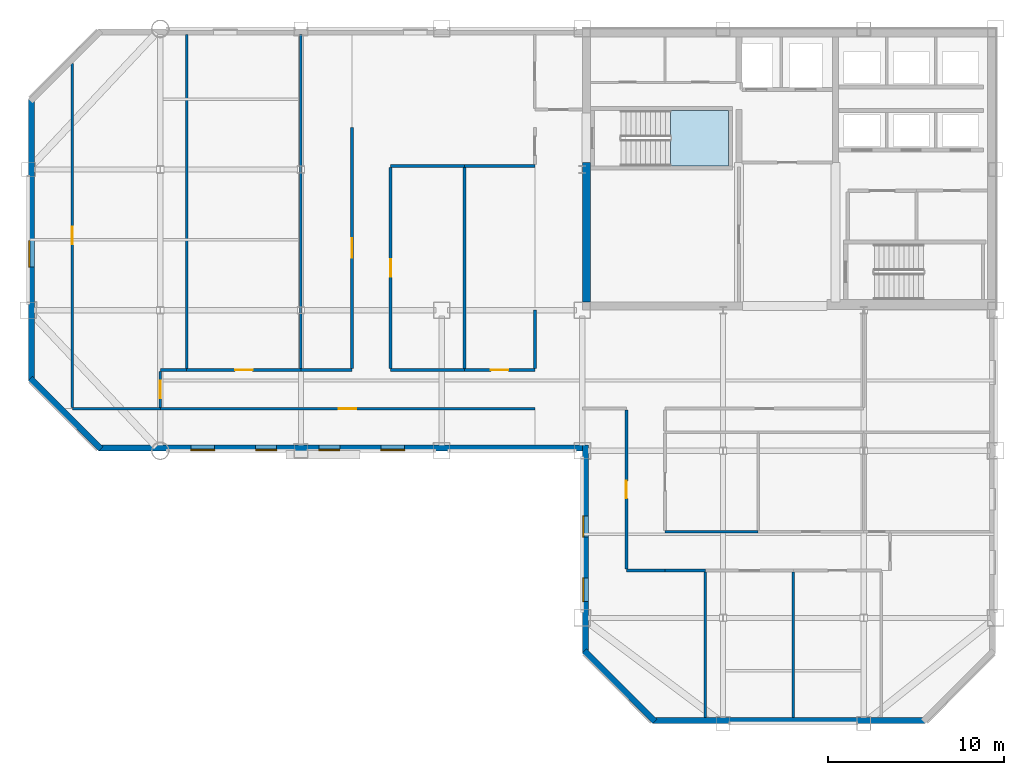
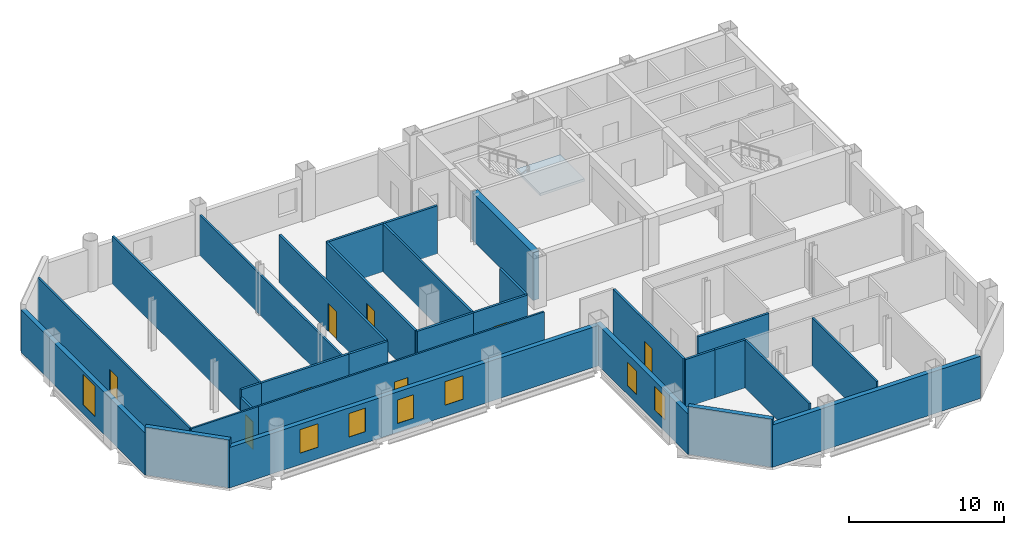
# One storey, part 4 of 11: 30 walls, 8 doors, 7 windows, 1 slab, 15 openings, 1 element without a shape of its own.
"""IFC4 building model written with IfcOpenShell, lengths in metres."""

from ifc_helpers import new_model, si_unit, direction, frame, frame_2d, origin, place, context, subcontext, project, spatial, polyline, rectangle, outline, extrude, material, layer, layer_set, type_object, element, fill, aggregate, save


model = new_model("IFC4")

# Units and contexts
model_context = context("Model", 3, precision=1e-05, world=origin(), true_north=direction((0.0, 1.0)))
body_context = subcontext(model_context, "Body", "Model", "MODEL_VIEW")
ifc_project = project(units=[si_unit("LENGTHUNIT", "METRE"), si_unit("AREAUNIT", "SQUARE_METRE"), si_unit("VOLUMEUNIT", "CUBIC_METRE"), si_unit("PLANEANGLEUNIT", "RADIAN"), si_unit("MASSUNIT", "GRAM", prefix="KILO")], contexts=[model_context])

# Site, building, storey
site_placement = place(None, origin())
site = spatial("IfcSite", under=ifc_project, at=site_placement, CompositionType="ELEMENT")
building_placement = place(site_placement, origin())
building = spatial("IfcBuilding", under=site, at=building_placement, Name="Qianrong Seaharbour Tower", CompositionType="ELEMENT")
storey_placement = place(building_placement, frame((0.0, 0.0, 265.800048828125)))
storey = spatial("IfcBuildingStorey", under=building, at=storey_placement, Name="L64", CompositionType="ELEMENT", Elevation=265.800048828125)

# Stair, slab
ifc_material_1 = material(Name="Concrete C50/60", Category="concrete")
stair_type = type_object("IfcStairType", Name="STAIR-DOGLEG-1500-R22", PredefinedType="HALF_TURN_STAIR", material=ifc_material_1)
stair_placement = place(storey_placement, origin())
stair = element("IfcStair", 1, at=stair_placement, inside=storey, type_object=stair_type, Name="L64 Protected Escape Stair ST-1", PredefinedType="HALF_TURN_STAIR")
ifc_layer_1 = layer(ifc_material_1, 0.199951171875)
ifc_layer_set_1 = layer_set([ifc_layer_1], Name="Concrete C50/60")
slab_type = type_object("IfcSlabType", Name="SLAB-STAIR-LANDING-200", PredefinedType="LANDING", material=ifc_layer_set_1)
slab_placement = place(storey_placement, frame((0.0, 0.0, 1.800048828125)))
slab = element("IfcSlab", 2, at=slab_placement, type_object=slab_type, Name="ST-1 landing 1", PredefinedType="LANDING", context=body_context, shape_type="SweptSolid", body=[
    extrude(outline(polyline([(45.5, 44.199951171875), (48.800048828125, 44.199951171875), (48.800048828125, 47.35009765625), (45.5, 47.35009765625), (45.5, 44.199951171875)])), origin(), (0.0, 0.0, 1.0), 0.199951171875),
])
aggregate(stair, [slab])

# Wall
ifc_material_2 = material(Name="Concrete C60/75", Category="concrete")
ifc_layer_2 = layer(ifc_material_2, 0.4599609375)
ifc_layer_set_2 = layer_set([ifc_layer_2], Name="Concrete C60/75")
wall_type_1 = type_object("IfcWallType", Name="WALL-CORE-460", PredefinedType="SHEAR", material=ifc_layer_set_2)
wall_1_placement = place(storey_placement, frame((40.72998046875, 36.4599609375, 0.0), z_axis=(0.0, 0.0, 1.0), x_axis=(0.0, 1.0, 0.0)))
element("IfcWall", 3, at=wall_1_placement, inside=storey, type_object=wall_type_1, Name="L64 West Core Shear Wall South", PredefinedType="SHEAR", context=body_context, shape_type="SweptSolid", body=[
    extrude(rectangle(XDim=7.93994140625, YDim=0.4599609375, at=frame_2d((3.969970703125, 0.0))), origin(), (0.0, 0.0, 1.0), 3.77490234375),
])

# Wall, opening, door
ifc_material_3 = material(Name="Fire-rated acoustic gypsum board partition")
ifc_layer_3 = layer(ifc_material_3, 0.1650390625)
ifc_layer_set_3 = layer_set([ifc_layer_3], Name="Fire-rated acoustic gypsum board partition")
wall_type_2 = type_object("IfcWallType", Name="WALL-CORR-PART-165", PredefinedType="PARTITIONING", material=ifc_layer_set_3)
wall_2_placement = place(storey_placement, frame((16.5, 30.45703125, 0.0), z_axis=(0.0, 0.0, 1.0), x_axis=(0.0, 1.0, 0.0)))
wall_2 = element("IfcWall", 4, at=wall_2_placement, inside=storey, type_object=wall_type_2, Name="L64 Interior Partition Wall 013", PredefinedType="PARTITIONING", context=body_context, shape_type="SweptSolid", body=[
    extrude(rectangle(XDim=2.068359375, YDim=0.1650390625, at=frame_2d((1.0341796875, 0.0))), origin(), (0.0, 0.0, 1.0), 3.178955078125),
])
opening_1_placement = place(wall_2_placement, frame((0.5341796875, 0.0, 0.0)))
opening_1 = element("IfcOpeningElement", 5, at=opening_1_placement, cuts=wall_2, Name="Opening DO-01", PredefinedType="OPENING", context=body_context, shape_type="SweptSolid", body=[
    extrude(rectangle(XDim=1.0, YDim=2.14990234375, at=frame_2d((0.5, 1.074951171875))), frame((0.0, 0.092529296875, 0.0), z_axis=(0.0, -1.0, 0.0), x_axis=(1.0, 0.0, 0.0)), (0.0, 0.0, 1.0), 0.18505859375),
])
ifc_material_4 = material(Name="Acoustic timber and galvanized steel fire door assembly", Category="steel")
door_type_1 = type_object("IfcDoorType", Name="DOOR-OFFICE-1000x2150", OperationType="NOTDEFINED", PredefinedType="DOOR", material=ifc_material_4)
door_1_placement = place(opening_1_placement, origin())
door_1 = element("IfcDoor", 6, at=door_1_placement, inside=storey, type_object=door_type_1, Name="L64 Navigation Systems Showroom 2 Door", OperationType="SINGLE_SWING_LEFT", OverallHeight=2.14990234375, OverallWidth=1.0, PredefinedType="DOOR", context=body_context, shape_type="SweptSolid", body=[
    extrude(rectangle(XDim=1.0, YDim=2.14990234375, at=frame_2d((0.5, 1.074951171875))), frame((0.0, 0.02490234375, 0.0), z_axis=(0.0, -1.0, 0.0), x_axis=(1.0, 0.0, 0.0)), (0.0, 0.0, 1.0), 0.050048828125),
])
fill(opening_1, door_1)

# Wall
wall_3_placement = place(storey_placement, frame((16.5, 32.60009765625, 0.0), z_axis=(0.0, 0.0, 1.0), x_axis=(1.0, 0.0, 0.0)))
element("IfcWall", 7, at=wall_3_placement, inside=storey, type_object=wall_type_2, Name="L64 Interior Partition Wall 014", PredefinedType="PARTITIONING", context=body_context, shape_type="SweptSolid", body=[
    extrude(rectangle(XDim=1.5, YDim=0.1650390625, at=frame_2d((0.75, 0.0))), origin(), (0.0, 0.0, 1.0), 3.77490234375),
])

# Wall, opening, door
wall_4_placement = place(storey_placement, frame((18.0, 32.60009765625, 0.0), z_axis=(0.0, 0.0, 1.0), x_axis=(1.0, 0.0, 0.0)))
wall_4 = element("IfcWall", 8, at=wall_4_placement, inside=storey, type_object=wall_type_2, Name="L64 Interior Partition Wall 015", PredefinedType="PARTITIONING", context=body_context, shape_type="SweptSolid", body=[
    extrude(rectangle(XDim=6.5, YDim=0.1650390625, at=frame_2d((3.25, 0.0))), origin(), (0.0, 0.0, 1.0), 3.77490234375),
])
opening_2_placement = place(wall_4_placement, frame((2.75, 0.0, 0.0)))
opening_2 = element("IfcOpeningElement", 9, at=opening_2_placement, cuts=wall_4, Name="Opening DO-01", PredefinedType="OPENING", context=body_context, shape_type="SweptSolid", body=[
    extrude(rectangle(XDim=1.0, YDim=2.14990234375, at=frame_2d((0.5, 1.074951171875))), frame((0.0, 0.092529296875, 0.0), z_axis=(0.0, -1.0, 0.0), x_axis=(1.0, 0.0, 0.0)), (0.0, 0.0, 1.0), 0.18505859375),
])
door_2_placement = place(opening_2_placement, origin())
door_2 = element("IfcDoor", 10, at=door_2_placement, inside=storey, type_object=door_type_1, Name="L64 Marine Propulsion Showroom 3 Door", OperationType="SINGLE_SWING_RIGHT", OverallHeight=2.14990234375, OverallWidth=1.0, PredefinedType="DOOR", context=body_context, shape_type="SweptSolid", body=[
    extrude(rectangle(XDim=1.0, YDim=2.14990234375, at=frame_2d((0.5, 1.074951171875))), frame((0.0, 0.02490234375, 0.0), z_axis=(0.0, -1.0, 0.0), x_axis=(1.0, 0.0, 0.0)), (0.0, 0.0, 1.0), 0.050048828125),
])
fill(opening_2, door_2)

# Walls
wall_5_placement = place(storey_placement, frame((24.5, 32.60009765625, 0.0), z_axis=(0.0, 0.0, 1.0), x_axis=(1.0, 0.0, 0.0)))
element("IfcWall", 11, at=wall_5_placement, inside=storey, type_object=wall_type_2, Name="L64 Interior Partition Wall 016", PredefinedType="PARTITIONING", context=body_context, shape_type="SweptSolid", body=[
    extrude(rectangle(XDim=2.89990234375, YDim=0.1650390625, at=frame_2d((1.449951171875, 0.0))), origin(), (0.0, 0.0, 1.0), 3.77490234375),
])
wall_6_placement = place(storey_placement, frame((29.60009765625, 32.60009765625, 0.0), z_axis=(0.0, 0.0, 1.0), x_axis=(1.0, 0.0, 0.0)))
element("IfcWall", 12, at=wall_6_placement, inside=storey, type_object=wall_type_2, Name="L64 Interior Partition Wall 017", PredefinedType="PARTITIONING", context=body_context, shape_type="SweptSolid", body=[
    extrude(rectangle(XDim=4.199951171875, YDim=0.1650390625, at=frame_2d((2.10009765625, 0.0))), origin(), (0.0, 0.0, 1.0), 3.77490234375),
])

# Wall, opening, door
wall_7_placement = place(storey_placement, frame((33.800048828125, 32.60009765625, 0.0), z_axis=(0.0, 0.0, 1.0), x_axis=(1.0, 0.0, 0.0)))
wall_7 = element("IfcWall", 13, at=wall_7_placement, inside=storey, type_object=wall_type_2, Name="L64 Interior Partition Wall 018", PredefinedType="PARTITIONING", context=body_context, shape_type="SweptSolid", body=[
    extrude(rectangle(XDim=4.0, YDim=0.1650390625, at=frame_2d((2.0, 0.0))), origin(), (0.0, 0.0, 1.0), 3.77490234375),
])
opening_3_placement = place(wall_7_placement, frame((1.5, 0.0, 0.0)))
opening_3 = element("IfcOpeningElement", 14, at=opening_3_placement, cuts=wall_7, Name="Opening DO-01", PredefinedType="OPENING", context=body_context, shape_type="SweptSolid", body=[
    extrude(rectangle(XDim=1.0, YDim=2.14990234375, at=frame_2d((0.5, 1.074951171875))), frame((0.0, 0.092529296875, 0.0), z_axis=(0.0, -1.0, 0.0), x_axis=(1.0, 0.0, 0.0)), (0.0, 0.0, 1.0), 0.18505859375),
])
door_3_placement = place(opening_3_placement, origin())
door_3 = element("IfcDoor", 15, at=door_3_placement, inside=storey, type_object=door_type_1, Name="L64 Fleet Logistics Showroom 2 Door", OperationType="SINGLE_SWING_LEFT", OverallHeight=2.14990234375, OverallWidth=1.0, PredefinedType="DOOR", context=body_context, shape_type="SweptSolid", body=[
    extrude(rectangle(XDim=1.0, YDim=2.14990234375, at=frame_2d((0.5, 1.074951171875))), frame((0.0, 0.02490234375, 0.0), z_axis=(0.0, -1.0, 0.0), x_axis=(1.0, 0.0, 0.0)), (0.0, 0.0, 1.0), 0.050048828125),
])
fill(opening_3, door_3)

wall_8_placement = place(storey_placement, frame((27.39990234375, 32.674560546875, 0.0), z_axis=(0.0, 0.0, 1.0), x_axis=(0.0, 1.0, 0.0)))
wall_8 = element("IfcWall", 16, at=wall_8_placement, inside=storey, type_object=wall_type_2, Name="L64 Interior Partition Wall 020", PredefinedType="PARTITIONING", context=body_context, shape_type="SweptSolid", body=[
    extrude(rectangle(XDim=13.725341796875, YDim=0.1650390625, at=frame_2d((6.86279296875, 0.0))), origin(), (0.0, 0.0, 1.0), 3.77490234375),
])
opening_4_placement = place(wall_8_placement, frame((6.312744140625, 0.0, 0.0)))
opening_4 = element("IfcOpeningElement", 17, at=opening_4_placement, cuts=wall_8, Name="Opening DM-01", PredefinedType="OPENING", context=body_context, shape_type="SweptSolid", body=[
    extrude(rectangle(XDim=1.10009765625, YDim=2.199951171875, at=frame_2d((0.550048828125, 1.10009765625))), frame((0.0, 0.092529296875, 0.0), z_axis=(0.0, -1.0, 0.0), x_axis=(1.0, 0.0, 0.0)), (0.0, 0.0, 1.0), 0.18505859375),
])
door_type_2 = type_object("IfcDoorType", Name="DOOR-MEET-1100x2200", OperationType="NOTDEFINED", PredefinedType="DOOR", material=ifc_material_4)
door_4_placement = place(opening_4_placement, origin())
door_4 = element("IfcDoor", 18, at=door_4_placement, inside=storey, type_object=door_type_2, Name="L64 Contract Meeting Room 4 Door", OperationType="SINGLE_SWING_LEFT", OverallHeight=2.199951171875, OverallWidth=1.10009765625, PredefinedType="DOOR", context=body_context, shape_type="SweptSolid", body=[
    extrude(rectangle(XDim=1.10009765625, YDim=2.199951171875, at=frame_2d((0.550048828125, 1.10009765625))), frame((0.0, 0.02490234375, 0.0), z_axis=(0.0, -1.0, 0.0), x_axis=(1.0, 0.0, 0.0)), (0.0, 0.0, 1.0), 0.050048828125),
])
fill(opening_4, door_4)

wall_9_placement = place(storey_placement, frame((29.60009765625, 44.12548828125, 0.0), z_axis=(0.0, 0.0, 1.0), x_axis=(0.0, -1.0, 0.0)))
wall_9 = element("IfcWall", 19, at=wall_9_placement, inside=storey, type_object=wall_type_2, Name="L64 Interior Partition Wall 021", PredefinedType="PARTITIONING", context=body_context, shape_type="SweptSolid", body=[
    extrude(rectangle(XDim=11.450927734375, YDim=0.1650390625, at=frame_2d((5.7255859375, 0.0))), origin(), (0.0, 0.0, 1.0), 3.77490234375),
])
opening_5_placement = place(wall_9_placement, frame((5.2255859375, 0.0, 0.0)))
opening_5 = element("IfcOpeningElement", 20, at=opening_5_placement, cuts=wall_9, Name="Opening DO-01", PredefinedType="OPENING", context=body_context, shape_type="SweptSolid", body=[
    extrude(rectangle(XDim=1.0, YDim=2.14990234375, at=frame_2d((0.5, 1.074951171875))), frame((0.0, 0.092529296875, 0.0), z_axis=(0.0, -1.0, 0.0), x_axis=(1.0, 0.0, 0.0)), (0.0, 0.0, 1.0), 0.18505859375),
])
door_5_placement = place(opening_5_placement, origin())
door_5 = element("IfcDoor", 21, at=door_5_placement, inside=storey, type_object=door_type_1, Name="L64 Cargo Systems Showroom 1 Door", OperationType="SINGLE_SWING_RIGHT", OverallHeight=2.14990234375, OverallWidth=1.0, PredefinedType="DOOR", context=body_context, shape_type="SweptSolid", body=[
    extrude(rectangle(XDim=1.0, YDim=2.14990234375, at=frame_2d((0.5, 1.074951171875))), frame((0.0, 0.02490234375, 0.0), z_axis=(0.0, -1.0, 0.0), x_axis=(1.0, 0.0, 0.0)), (0.0, 0.0, 1.0), 0.050048828125),
])
fill(opening_5, door_5)

# Walls
wall_10_placement = place(storey_placement, frame((33.800048828125, 44.199951171875, 0.0), z_axis=(0.0, 0.0, 1.0), x_axis=(-1.0, 0.0, 0.0)))
element("IfcWall", 22, at=wall_10_placement, inside=storey, type_object=wall_type_2, Name="L64 Interior Partition Wall 022", PredefinedType="PARTITIONING", context=body_context, shape_type="SweptSolid", body=[
    extrude(rectangle(XDim=4.199951171875, YDim=0.1650390625, at=frame_2d((2.10009765625, 0.0))), origin(), (0.0, 0.0, 1.0), 3.77490234375),
])
wall_11_placement = place(storey_placement, frame((37.800048828125, 44.199951171875, 0.0), z_axis=(0.0, 0.0, 1.0), x_axis=(-1.0, 0.0, 0.0)))
element("IfcWall", 23, at=wall_11_placement, inside=storey, type_object=wall_type_2, Name="L64 Interior Partition Wall 023", PredefinedType="PARTITIONING", context=body_context, shape_type="SweptSolid", body=[
    extrude(rectangle(XDim=4.0, YDim=0.1650390625, at=frame_2d((2.0, 0.0))), origin(), (0.0, 0.0, 1.0), 3.77490234375),
])
wall_12_placement = place(storey_placement, frame((37.800048828125, 32.674560546875, 0.0), z_axis=(0.0, 0.0, 1.0), x_axis=(0.0, 1.0, 0.0)))
element("IfcWall", 24, at=wall_12_placement, inside=storey, type_object=wall_type_2, Name="L64 Interior Partition Wall 026", PredefinedType="PARTITIONING", context=body_context, shape_type="SweptSolid", body=[
    extrude(rectangle(XDim=3.325439453125, YDim=0.1650390625, at=frame_2d((1.66259765625, 0.0))), origin(), (0.0, 0.0, 1.0), 3.77490234375),
])
wall_13_placement = place(storey_placement, frame((45.199951171875, 21.199951171875, 0.0), z_axis=(0.0, 0.0, 1.0), x_axis=(-1.0, 0.0, 0.0)))
element("IfcWall", 25, at=wall_13_placement, inside=storey, type_object=wall_type_2, Name="L64 Interior Partition Wall 030", PredefinedType="PARTITIONING", context=body_context, shape_type="SweptSolid", body=[
    extrude(rectangle(XDim=2.199951171875, YDim=0.1650390625, at=frame_2d((1.10009765625, 0.0))), origin(), (0.0, 0.0, 1.0), 3.77490234375),
])

# Wall, opening, door
wall_14_placement = place(storey_placement, frame((43.0, 21.2744140625, 0.0), z_axis=(0.0, 0.0, 1.0), x_axis=(0.0, 1.0, 0.0)))
wall_14 = element("IfcWall", 26, at=wall_14_placement, inside=storey, type_object=wall_type_2, Name="L64 Interior Partition Wall 031", PredefinedType="PARTITIONING", context=body_context, shape_type="SweptSolid", body=[
    extrude(rectangle(XDim=9.051025390625, YDim=0.1650390625, at=frame_2d((4.525390625, 0.0))), origin(), (0.0, 0.0, 1.0), 3.77490234375),
])
opening_6_placement = place(wall_14_placement, frame((4.025390625, 0.0, 0.0)))
opening_6 = element("IfcOpeningElement", 27, at=opening_6_placement, cuts=wall_14, Name="Opening DO-01", PredefinedType="OPENING", context=body_context, shape_type="SweptSolid", body=[
    extrude(rectangle(XDim=1.0, YDim=2.14990234375, at=frame_2d((0.5, 1.074951171875))), frame((0.0, 0.092529296875, 0.0), z_axis=(0.0, -1.0, 0.0), x_axis=(1.0, 0.0, 0.0)), (0.0, 0.0, 1.0), 0.18505859375),
])
door_6_placement = place(opening_6_placement, origin())
door_6 = element("IfcDoor", 28, at=door_6_placement, inside=storey, type_object=door_type_1, Name="L64 Harbour Trade Lounge 1 Door", OperationType="SINGLE_SWING_LEFT", OverallHeight=2.14990234375, OverallWidth=1.0, PredefinedType="DOOR", context=body_context, shape_type="SweptSolid", body=[
    extrude(rectangle(XDim=1.0, YDim=2.14990234375, at=frame_2d((0.5, 1.074951171875))), frame((0.0, 0.02490234375, 0.0), z_axis=(0.0, -1.0, 0.0), x_axis=(1.0, 0.0, 0.0)), (0.0, 0.0, 1.0), 0.050048828125),
])
fill(opening_6, door_6)

# Walls
wall_15_placement = place(storey_placement, frame((45.199951171875, 23.39990234375, 0.0), z_axis=(0.0, 0.0, 1.0), x_axis=(1.0, 0.0, 0.0)))
element("IfcWall", 29, at=wall_15_placement, inside=storey, type_object=wall_type_2, Name="L64 Interior Partition Wall 032", PredefinedType="PARTITIONING", context=body_context, shape_type="SweptSolid", body=[
    extrude(rectangle(XDim=5.300048828125, YDim=0.1650390625, at=frame_2d((2.64990234375, 0.0))), origin(), (0.0, 0.0, 1.0), 3.467041015625),
])
wall_16_placement = place(storey_placement, frame((47.5, 21.199951171875, 0.0), z_axis=(0.0, 0.0, 1.0), x_axis=(-1.0, 0.0, 0.0)))
element("IfcWall", 30, at=wall_16_placement, inside=storey, type_object=wall_type_2, Name="L64 Interior Partition Wall 035", PredefinedType="PARTITIONING", context=body_context, shape_type="SweptSolid", body=[
    extrude(rectangle(XDim=2.300048828125, YDim=0.1650390625, at=frame_2d((1.14990234375, 0.0))), origin(), (0.0, 0.0, 1.0), 3.77490234375),
])

# Wall, openings, windows
ifc_material_5 = material(Name="Unitised buff brick on Precast concrete C45/55", Category="masonry")
ifc_layer_4 = layer(ifc_material_5, 0.340087890625)
ifc_layer_set_4 = layer_set([ifc_layer_4], Name="Unitised buff brick on Precast concrete C45/55")
wall_type_3 = type_object("IfcWallType", Name="WALL-EXT-BRICK-BUFF-340", PredefinedType="SOLIDWALL", material=ifc_layer_set_4)
wall_17_placement = place(storey_placement, frame((40.669921875, 16.5, 0.0), z_axis=(0.0, 0.0, 1.0), x_axis=(0.0, 1.0, 0.0)))
wall_17 = element("IfcWall", 31, at=wall_17_placement, inside=storey, type_object=wall_type_3, Name="L64 Exterior Masonry Facade Wall REENTRANT_WEST", PredefinedType="SOLIDWALL", context=body_context, shape_type="SweptSolid", body=[
    extrude(rectangle(XDim=11.840087890625, YDim=0.340087890625, at=frame_2d((5.919921875, 0.0))), origin(), (0.0, 0.0, 1.0), 3.18701171875),
])
opening_7_placement = place(wall_17_placement, frame((2.925048828125, 0.0, 0.89990234375)))
opening_7 = element("IfcOpeningElement", 32, at=opening_7_placement, cuts=wall_17, Name="Opening WN-02", PredefinedType="OPENING", context=body_context, shape_type="SweptSolid", body=[
    extrude(rectangle(XDim=1.35009765625, YDim=1.85009765625, at=frame_2d((0.675048828125, 0.925048828125))), frame((0.0, 0.18017578125, 0.0), z_axis=(0.0, -1.0, 0.0), x_axis=(1.0, 0.0, 0.0)), (0.0, 0.0, 1.0), 0.360107421875),
])
opening_8_placement = place(wall_17_placement, frame((6.60009765625, 0.0, 0.699951171875)))
opening_8 = element("IfcOpeningElement", 33, at=opening_8_placement, cuts=wall_17, Name="Opening WN-01", PredefinedType="OPENING", context=body_context, shape_type="SweptSolid", body=[
    extrude(rectangle(XDim=1.199951171875, YDim=1.85009765625, at=frame_2d((0.60009765625, 0.925048828125))), frame((0.0, 0.18017578125, 0.0), z_axis=(0.0, -1.0, 0.0), x_axis=(1.0, 0.0, 0.0)), (0.0, 0.0, 1.0), 0.360107421875),
])
ifc_material_6 = material(Name="Insulated low-e double glazing in thermally broken aluminium 6063-T6 frame", Category="aluminium")
window_type_1 = type_object("IfcWindowType", Name="WIN-PUNCH-1200x1850", PartitioningType="DOUBLE_PANEL_VERTICAL", PredefinedType="WINDOW", material=ifc_material_6)
window_1_placement = place(opening_8_placement, origin())
window_1 = element("IfcWindow", 34, at=window_1_placement, inside=storey, type_object=window_type_1, Name="L64 Deep-Set Punched Window 00.02", OverallHeight=1.85009765625, OverallWidth=1.199951171875, PartitioningType="DOUBLE_PANEL_VERTICAL", PredefinedType="WINDOW", context=body_context, shape_type="SweptSolid", body=[
    extrude(rectangle(XDim=1.199951171875, YDim=1.85009765625, at=frame_2d((0.60009765625, 0.925048828125))), frame((0.0, 0.150146484375, 0.0), z_axis=(0.0, -1.0, 0.0), x_axis=(1.0, 0.0, 0.0)), (0.0, 0.0, 1.0), 0.06005859375),
])
fill(opening_8, window_1)
window_type_2 = type_object("IfcWindowType", Name="WIN-PUNCH-1350x1850", PartitioningType="DOUBLE_PANEL_VERTICAL", PredefinedType="WINDOW", material=ifc_material_6)
window_2_placement = place(opening_7_placement, origin())
window_2 = element("IfcWindow", 35, at=window_2_placement, inside=storey, type_object=window_type_2, Name="L64 Deep-Set Punched Window 00.01", OverallHeight=1.85009765625, OverallWidth=1.35009765625, PartitioningType="DOUBLE_PANEL_VERTICAL", PredefinedType="WINDOW", context=body_context, shape_type="SweptSolid", body=[
    extrude(rectangle(XDim=1.35009765625, YDim=1.85009765625, at=frame_2d((0.675048828125, 0.925048828125))), frame((0.0, 0.150146484375, 0.0), z_axis=(0.0, -1.0, 0.0), x_axis=(1.0, 0.0, 0.0)), (0.0, 0.0, 1.0), 0.06005859375),
])
fill(opening_7, window_2)

wall_18_placement = place(storey_placement, frame((40.52001953125, 28.169921875, 0.0), z_axis=(0.0, 0.0, 1.0), x_axis=(-1.0, 0.0, 0.0)))
wall_18 = element("IfcWall", 36, at=wall_18_placement, inside=storey, type_object=wall_type_3, Name="L64 Exterior Masonry Facade Wall HARBOUR_RIBBON", PredefinedType="SOLIDWALL", context=body_context, shape_type="SweptSolid", body=[
    extrude(rectangle(XDim=27.52001953125, YDim=0.340087890625, at=frame_2d((13.760009765625, 0.0))), origin(), (0.0, 0.0, 1.0), 3.18701171875),
])
opening_9_placement = place(wall_18_placement, frame((10.125, 0.0, 0.89990234375)))
opening_9 = element("IfcOpeningElement", 37, at=opening_9_placement, cuts=wall_18, Name="Opening WN-02", PredefinedType="OPENING", context=body_context, shape_type="SweptSolid", body=[
    extrude(rectangle(XDim=1.35009765625, YDim=1.85009765625, at=frame_2d((0.675048828125, 0.925048828125))), frame((0.0, 0.18017578125, 0.0), z_axis=(0.0, -1.0, 0.0), x_axis=(1.0, 0.0, 0.0)), (0.0, 0.0, 1.0), 0.360107421875),
])
opening_10_placement = place(wall_18_placement, frame((13.800048828125, 0.0, 0.699951171875)))
opening_10 = element("IfcOpeningElement", 38, at=opening_10_placement, cuts=wall_18, Name="Opening WN-01", PredefinedType="OPENING", context=body_context, shape_type="SweptSolid", body=[
    extrude(rectangle(XDim=1.199951171875, YDim=1.85009765625, at=frame_2d((0.60009765625, 0.925048828125))), frame((0.0, 0.18017578125, 0.0), z_axis=(0.0, -1.0, 0.0), x_axis=(1.0, 0.0, 0.0)), (0.0, 0.0, 1.0), 0.360107421875),
])
opening_11_placement = place(wall_18_placement, frame((17.39990234375, 0.0, 0.89990234375)))
opening_11 = element("IfcOpeningElement", 39, at=opening_11_placement, cuts=wall_18, Name="Opening WN-01", PredefinedType="OPENING", context=body_context, shape_type="SweptSolid", body=[
    extrude(rectangle(XDim=1.199951171875, YDim=1.85009765625, at=frame_2d((0.60009765625, 0.925048828125))), frame((0.0, 0.18017578125, 0.0), z_axis=(0.0, -1.0, 0.0), x_axis=(1.0, 0.0, 0.0)), (0.0, 0.0, 1.0), 0.360107421875),
])
opening_12_placement = place(wall_18_placement, frame((20.925048828125, 0.0, 0.89990234375)))
opening_12 = element("IfcOpeningElement", 40, at=opening_12_placement, cuts=wall_18, Name="Opening WN-02", PredefinedType="OPENING", context=body_context, shape_type="SweptSolid", body=[
    extrude(rectangle(XDim=1.35009765625, YDim=1.85009765625, at=frame_2d((0.675048828125, 0.925048828125))), frame((0.0, 0.18017578125, 0.0), z_axis=(0.0, -1.0, 0.0), x_axis=(1.0, 0.0, 0.0)), (0.0, 0.0, 1.0), 0.360107421875),
])
window_3_placement = place(opening_10_placement, origin())
window_3 = element("IfcWindow", 41, at=window_3_placement, inside=storey, type_object=window_type_1, Name="L64 Deep-Set Punched Window 01.04", OverallHeight=1.85009765625, OverallWidth=1.199951171875, PartitioningType="DOUBLE_PANEL_VERTICAL", PredefinedType="WINDOW", context=body_context, shape_type="SweptSolid", body=[
    extrude(rectangle(XDim=1.199951171875, YDim=1.85009765625, at=frame_2d((0.60009765625, 0.925048828125))), frame((0.0, 0.150146484375, 0.0), z_axis=(0.0, -1.0, 0.0), x_axis=(1.0, 0.0, 0.0)), (0.0, 0.0, 1.0), 0.06005859375),
])
fill(opening_10, window_3)
window_4_placement = place(opening_11_placement, origin())
window_4 = element("IfcWindow", 42, at=window_4_placement, inside=storey, type_object=window_type_1, Name="L64 Deep-Set Punched Window 01.05", OverallHeight=1.85009765625, OverallWidth=1.199951171875, PartitioningType="DOUBLE_PANEL_VERTICAL", PredefinedType="WINDOW", context=body_context, shape_type="SweptSolid", body=[
    extrude(rectangle(XDim=1.199951171875, YDim=1.85009765625, at=frame_2d((0.60009765625, 0.925048828125))), frame((0.0, 0.150146484375, 0.0), z_axis=(0.0, -1.0, 0.0), x_axis=(1.0, 0.0, 0.0)), (0.0, 0.0, 1.0), 0.06005859375),
])
fill(opening_11, window_4)
window_5_placement = place(opening_9_placement, origin())
window_5 = element("IfcWindow", 43, at=window_5_placement, inside=storey, type_object=window_type_2, Name="L64 Deep-Set Punched Window 01.03", OverallHeight=1.85009765625, OverallWidth=1.35009765625, PartitioningType="DOUBLE_PANEL_VERTICAL", PredefinedType="WINDOW", context=body_context, shape_type="SweptSolid", body=[
    extrude(rectangle(XDim=1.35009765625, YDim=1.85009765625, at=frame_2d((0.675048828125, 0.925048828125))), frame((0.0, 0.150146484375, 0.0), z_axis=(0.0, -1.0, 0.0), x_axis=(1.0, 0.0, 0.0)), (0.0, 0.0, 1.0), 0.06005859375),
])
fill(opening_9, window_5)
window_6_placement = place(opening_12_placement, origin())
window_6 = element("IfcWindow", 44, at=window_6_placement, inside=storey, type_object=window_type_2, Name="L64 Deep-Set Punched Window 01.06", OverallHeight=1.85009765625, OverallWidth=1.35009765625, PartitioningType="DOUBLE_PANEL_VERTICAL", PredefinedType="WINDOW", context=body_context, shape_type="SweptSolid", body=[
    extrude(rectangle(XDim=1.35009765625, YDim=1.85009765625, at=frame_2d((0.675048828125, 0.925048828125))), frame((0.0, 0.150146484375, 0.0), z_axis=(0.0, -1.0, 0.0), x_axis=(1.0, 0.0, 0.0)), (0.0, 0.0, 1.0), 0.06005859375),
])
fill(opening_12, window_6)

# Wall
wall_19_placement = place(storey_placement, frame((13.1201171875, 28.1201171875, 0.0), z_axis=(0.0, 0.0, 1.0), x_axis=(-0.707106781187, 0.707106781187, 0.0)))
element("IfcWall", 45, at=wall_19_placement, inside=storey, type_object=wall_type_3, Name="L64 Exterior Masonry Facade Wall E02", PredefinedType="SOLIDWALL", context=body_context, shape_type="SweptSolid", body=[
    extrude(rectangle(XDim=5.65673828125, YDim=0.340087890625, at=frame_2d((2.828369140625, 0.0))), origin(), (0.0, 0.0, 1.0), 3.77490234375),
])

# Wall, opening, window
wall_20_placement = place(storey_placement, frame((9.169921875, 32.0, 0.0), z_axis=(0.0, 0.0, 1.0), x_axis=(0.0, 1.0, 0.0)))
wall_20 = element("IfcWall", 46, at=wall_20_placement, inside=storey, type_object=wall_type_3, Name="L64 Exterior Masonry Facade Wall WEST_TIP", PredefinedType="SOLIDWALL", context=body_context, shape_type="SweptSolid", body=[
    extrude(rectangle(XDim=16.0, YDim=0.340087890625, at=frame_2d((8.0, 0.0))), origin(), (0.0, 0.0, 1.0), 3.324951171875),
])
opening_13_placement = place(wall_20_placement, frame((6.449951171875, 0.0, 0.699951171875)))
opening_13 = element("IfcOpeningElement", 47, at=opening_13_placement, cuts=wall_20, Name="Opening WN-08", PredefinedType="OPENING", context=body_context, shape_type="SweptSolid", body=[
    extrude(rectangle(XDim=1.5, YDim=2.39990234375, at=frame_2d((0.75, 1.199951171875))), frame((0.0, 0.18017578125, 0.0), z_axis=(0.0, -1.0, 0.0), x_axis=(1.0, 0.0, 0.0)), (0.0, 0.0, 1.0), 0.360107421875),
])
window_type_3 = type_object("IfcWindowType", Name="WIN-PUNCH-1500x2400", PartitioningType="DOUBLE_PANEL_HORIZONTAL", PredefinedType="WINDOW", material=ifc_material_6)
window_7_placement = place(opening_13_placement, origin())
window_7 = element("IfcWindow", 48, at=window_7_placement, inside=storey, type_object=window_type_3, Name="L64 Deep-Set Punched Window 03.02", OverallHeight=2.39990234375, OverallWidth=1.5, PartitioningType="DOUBLE_PANEL_HORIZONTAL", PredefinedType="WINDOW", context=body_context, shape_type="SweptSolid", body=[
    extrude(rectangle(XDim=1.5, YDim=2.39990234375, at=frame_2d((0.75, 1.199951171875))), frame((0.0, 0.150146484375, 0.0), z_axis=(0.0, -1.0, 0.0), x_axis=(1.0, 0.0, 0.0)), (0.0, 0.0, 1.0), 0.06005859375),
])
fill(opening_13, window_7)

# Walls
wall_21_placement = place(storey_placement, frame((60.0, 12.669921875, 0.0), z_axis=(0.0, 0.0, 1.0), x_axis=(-1.0, 0.0, 0.0)))
element("IfcWall", 49, at=wall_21_placement, inside=storey, type_object=wall_type_3, Name="L64 Exterior Masonry Facade Wall SOUTH_TIP", PredefinedType="SOLIDWALL", context=body_context, shape_type="SweptSolid", body=[
    extrude(rectangle(XDim=15.5, YDim=0.340087890625, at=frame_2d((7.75, 0.0))), origin(), (0.0, 0.0, 1.0), 3.324951171875),
])
wall_22_placement = place(storey_placement, frame((44.6201171875, 12.6201171875, 0.0), z_axis=(0.0, 0.0, 1.0), x_axis=(-0.707106781187, 0.707106781187, 0.0)))
element("IfcWall", 50, at=wall_22_placement, inside=storey, type_object=wall_type_3, Name="L64 Exterior Masonry Facade Wall E09", PredefinedType="SOLIDWALL", context=body_context, shape_type="SweptSolid", body=[
    extrude(rectangle(XDim=5.65673828125, YDim=0.340087890625, at=frame_2d((2.828369140625, 0.0))), origin(), (0.0, 0.0, 1.0), 3.77490234375),
])

# Wall, opening, door
ifc_material_7 = material(Name="Acoustic gypsum board stud partition")
ifc_layer_5 = layer(ifc_material_7, 0.14501953125)
ifc_layer_set_5 = layer_set([ifc_layer_5], Name="Acoustic gypsum board stud partition")
wall_type_4 = type_object("IfcWallType", Name="WALL-OFFICE-PART-145", PredefinedType="PARTITIONING", material=ifc_layer_set_5)
wall_23_placement = place(storey_placement, frame((11.5, 50.030517578125, 0.0), z_axis=(0.0, 0.0, 1.0), x_axis=(0.0, -1.0, 0.0)))
wall_23 = element("IfcWall", 51, at=wall_23_placement, inside=storey, type_object=wall_type_4, Name="L64 Interior Partition Wall 045", PredefinedType="PARTITIONING", context=body_context, shape_type="SweptSolid", body=[
    extrude(rectangle(XDim=19.573486328125, YDim=0.14501953125, at=frame_2d((9.78662109375, 0.0))), origin(), (0.0, 0.0, 1.0), 3.77490234375),
])
opening_14_placement = place(wall_23_placement, frame((9.28662109375, 0.0, 0.0)))
opening_14 = element("IfcOpeningElement", 52, at=opening_14_placement, cuts=wall_23, Name="Opening DO-01", PredefinedType="OPENING", context=body_context, shape_type="SweptSolid", body=[
    extrude(rectangle(XDim=1.0, YDim=2.14990234375, at=frame_2d((0.5, 1.074951171875))), frame((0.0, 0.08251953125, 0.0), z_axis=(0.0, -1.0, 0.0), x_axis=(1.0, 0.0, 0.0)), (0.0, 0.0, 1.0), 0.1650390625),
])
door_7_placement = place(opening_14_placement, origin())
door_7 = element("IfcDoor", 53, at=door_7_placement, inside=storey, type_object=door_type_1, Name="L64 Vessel Model Showroom 1 Door", OperationType="SINGLE_SWING_RIGHT", OverallHeight=2.14990234375, OverallWidth=1.0, PredefinedType="DOOR", context=body_context, shape_type="SweptSolid", body=[
    extrude(rectangle(XDim=1.0, YDim=2.14990234375, at=frame_2d((0.5, 1.074951171875))), frame((0.0, 0.02490234375, 0.0), z_axis=(0.0, -1.0, 0.0), x_axis=(1.0, 0.0, 0.0)), (0.0, 0.0, 1.0), 0.050048828125),
])
fill(opening_14, door_7)

# Walls
wall_24_placement = place(storey_placement, frame((18.0, 51.66796875, 0.0), z_axis=(0.0, 0.0, 1.0), x_axis=(0.0, -1.0, 0.0)))
element("IfcWall", 54, at=wall_24_placement, inside=storey, type_object=wall_type_4, Name="L64 Interior Partition Wall 046", PredefinedType="PARTITIONING", context=body_context, shape_type="SweptSolid", body=[
    extrude(rectangle(XDim=18.993408203125, YDim=0.14501953125, at=frame_2d((9.49658203125, 0.0))), origin(), (0.0, 0.0, 1.0), 3.77490234375),
])
wall_25_placement = place(storey_placement, frame((24.5, 51.66796875, 0.0), z_axis=(0.0, 0.0, 1.0), x_axis=(0.0, -1.0, 0.0)))
element("IfcWall", 55, at=wall_25_placement, inside=storey, type_object=wall_type_4, Name="L64 Interior Partition Wall 048", PredefinedType="PARTITIONING", context=body_context, shape_type="SweptSolid", body=[
    extrude(rectangle(XDim=18.993408203125, YDim=0.14501953125, at=frame_2d((9.49658203125, 0.0))), origin(), (0.0, 0.0, 1.0), 3.178955078125),
])
wall_26_placement = place(storey_placement, frame((33.800048828125, 44.12548828125, 0.0), z_axis=(0.0, 0.0, 1.0), x_axis=(0.0, -1.0, 0.0)))
element("IfcWall", 56, at=wall_26_placement, inside=storey, type_object=wall_type_4, Name="L64 Interior Partition Wall 049", PredefinedType="PARTITIONING", context=body_context, shape_type="SweptSolid", body=[
    extrude(rectangle(XDim=11.450927734375, YDim=0.14501953125, at=frame_2d((5.7255859375, 0.0))), origin(), (0.0, 0.0, 1.0), 3.77490234375),
])
for number, where, z_axis, x_axis, name in (
    (57, (47.5, 21.12548828125, 0.0), (0.0, 0.0, 1.0), (0.0, -1.0, 0.0), "L64 Interior Partition Wall 050"),
    (58, (52.5, 21.12548828125, 0.0), (0.0, 0.0, 1.0), (0.0, -1.0, 0.0), "L64 Interior Partition Wall 051"),
):
    element("IfcWall", number, at=place(storey_placement, frame(where, z_axis=z_axis, x_axis=x_axis)), inside=storey, type_object=wall_type_4, Name=name, PredefinedType="PARTITIONING", context=body_context, shape_type="SweptSolid", body=[
        extrude(rectangle(XDim=8.29345703125, YDim=0.14501953125, at=frame_2d((4.146728515625, 0.0))), origin(), (0.0, 0.0, 1.0), 3.77490234375),
    ])

# Wall, opening, door
ifc_material_8 = material(Name="Water-resistant cement board sanitary partition")
ifc_layer_6 = layer(ifc_material_8, 0.1298828125)
ifc_layer_set_6 = layer_set([ifc_layer_6], Name="Water-resistant cement board sanitary partition")
wall_type_5 = type_object("IfcWallType", Name="WALL-WET-PART-130", PredefinedType="PARTITIONING", material=ifc_layer_set_6)
wall_27_placement = place(storey_placement, frame((37.800048828125, 30.39990234375, 0.0), z_axis=(0.0, 0.0, 1.0), x_axis=(-1.0, 0.0, 0.0)))
wall_27 = element("IfcWall", 59, at=wall_27_placement, inside=storey, type_object=wall_type_5, Name="L64 Interior Partition Wall 019", PredefinedType="PARTITIONING", context=body_context, shape_type="SweptSolid", body=[
    extrude(rectangle(XDim=21.300048828125, YDim=0.1298828125, at=frame_2d((10.64990234375, 0.0))), origin(), (0.0, 0.0, 1.0), 3.77490234375),
])
opening_15_placement = place(wall_27_placement, frame((10.14990234375, 0.0, 0.0)))
opening_15 = element("IfcOpeningElement", 60, at=opening_15_placement, cuts=wall_27, Name="Opening DO-01", PredefinedType="OPENING", context=body_context, shape_type="SweptSolid", body=[
    extrude(rectangle(XDim=1.0, YDim=2.14990234375, at=frame_2d((0.5, 1.074951171875))), frame((0.0, 0.074951171875, 0.0), z_axis=(0.0, -1.0, 0.0), x_axis=(1.0, 0.0, 0.0)), (0.0, 0.0, 1.0), 0.14990234375),
])
door_8_placement = place(opening_15_placement, origin())
door_8 = element("IfcDoor", 61, at=door_8_placement, inside=storey, type_object=door_type_1, Name="L64 Wet Pantry 1 Door", OperationType="SINGLE_SWING_RIGHT", OverallHeight=2.14990234375, OverallWidth=1.0, PredefinedType="DOOR", context=body_context, shape_type="SweptSolid", body=[
    extrude(rectangle(XDim=1.0, YDim=2.14990234375, at=frame_2d((0.5, 1.074951171875))), frame((0.0, 0.02490234375, 0.0), z_axis=(0.0, -1.0, 0.0), x_axis=(1.0, 0.0, 0.0)), (0.0, 0.0, 1.0), 0.050048828125),
])
fill(opening_15, door_8)

# Wall
wall_28_placement = place(storey_placement, frame((16.5, 30.39990234375, 0.0), z_axis=(0.0, 0.0, 1.0), x_axis=(-1.0, 0.0, 0.0)))
element("IfcWall", 62, at=wall_28_placement, inside=storey, type_object=wall_type_5, Name="L64 Interior Partition Wall 047", PredefinedType="PARTITIONING", context=body_context, shape_type="SweptSolid", body=[
    extrude(rectangle(XDim=5.0, YDim=0.1298828125, at=frame_2d((2.5, 0.0))), origin(), (0.0, 0.0, 1.0), 3.77490234375),
])

save(model, "model.ifc")
